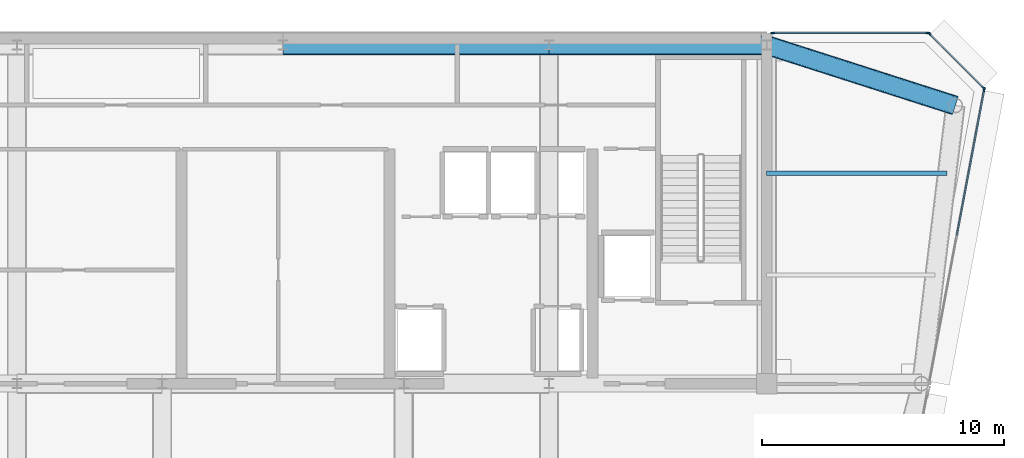
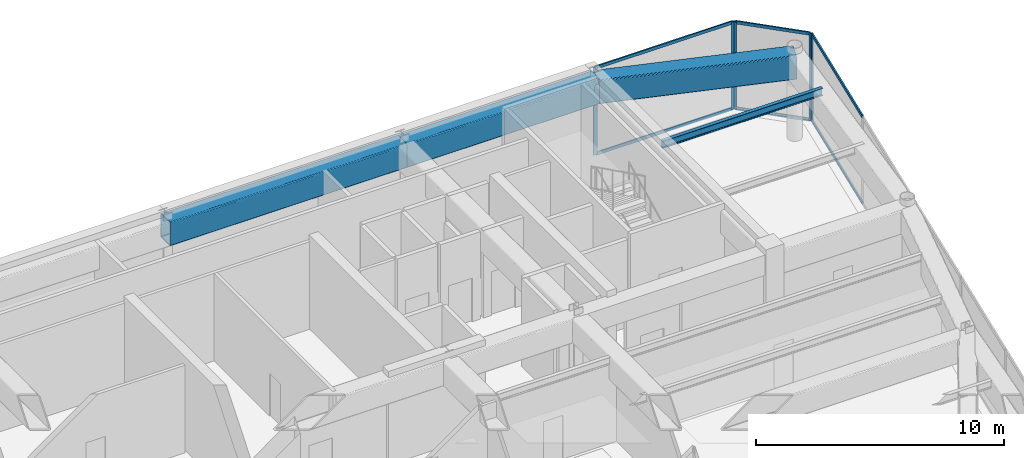
# One storey, part 9 of 20: 11 members, 4 beams, 3 elements without a shape of their own.
"""IFC4 building model written with IfcOpenShell, lengths in metres."""

from ifc_helpers import new_model, si_unit, direction, frame, origin, origin_2d, place, context, subcontext, project, spatial, rectangle, hollow_rectangle, i_section, extrude, source, transform, mapped, material, layer, layer_set, material_profile, profile_set, type_object, element, aggregate, save


model = new_model("IFC4")

# Units and contexts
model_context = context("Model", 3, precision=1e-05, world=origin(), true_north=direction((0.0, 1.0)))
body_context = subcontext(model_context, "Body", "Model", "MODEL_VIEW")
ifc_project = project(units=[si_unit("LENGTHUNIT", "METRE"), si_unit("AREAUNIT", "SQUARE_METRE"), si_unit("VOLUMEUNIT", "CUBIC_METRE"), si_unit("PLANEANGLEUNIT", "RADIAN"), si_unit("MASSUNIT", "GRAM", prefix="KILO")], contexts=[model_context])

# Site, building, storey
site_placement = place(None, origin())
site = spatial("IfcSite", under=ifc_project, at=site_placement, CompositionType="ELEMENT")
building_placement = place(site_placement, origin())
building = spatial("IfcBuilding", under=site, at=building_placement, Name="Vaeldorn Concourse Tower", CompositionType="ELEMENT")
storey_placement = place(building_placement, frame((0.0, 0.0, 299.199951171875)))
storey = spatial("IfcBuildingStorey", under=building, at=storey_placement, Name="L77", CompositionType="ELEMENT", Elevation=299.199951171875)

# Beams
ifc_material_1 = material(Name="Steel S460", Category="steel")
ifc_material_profile_1 = material_profile(ifc_material_1, hollow_rectangle(XDim=0.800048828125, YDim=1.199951171875, WallThickness=0.044921875, InnerFilletRadius=0.044921875, OuterFilletRadius=0.090087890625, at=origin_2d()), Name="RHS 1200x800x45")
ifc_profile_set_1 = profile_set([ifc_material_profile_1], Name="Steel S460")
beam_type_1 = type_object("IfcBeamType", Name="BM-TG-RHS1200", PredefinedType="BEAM", material=ifc_profile_set_1)
shared_shape_1 = source(origin(), body_context, "Body", "SweptSolid", [
    extrude(hollow_rectangle(XDim=0.800048828125, YDim=1.199951171875, WallThickness=0.044921875, InnerFilletRadius=0.044921875, OuterFilletRadius=0.090087890625, at=origin_2d()), origin(), (0.0, 0.0, 1.0), 9.0),
])
beam_1_placement = place(storey_placement, frame((45.0, 50.5, 3.699951171875), z_axis=(1.0, 0.0, 0.0), x_axis=(0.0, 1.0, 0.0)))
element("IfcBeam", 1, at=beam_1_placement, inside=storey, type_object=beam_type_1, Name="Beam BM-L77-C-HC4-C-HC5", PredefinedType="BEAM", context=body_context, shape_type="MappedRepresentation", body=[
    mapped(shared_shape_1, transform((0.0, 0.0, 0.0), scale=1.0)),
])
shared_shape_2 = source(origin(), body_context, "Body", "SweptSolid", [
    extrude(hollow_rectangle(XDim=0.800048828125, YDim=1.199951171875, WallThickness=0.044921875, InnerFilletRadius=0.044921875, OuterFilletRadius=0.090087890625, at=origin_2d()), origin(), (0.0, 0.0, 1.0), 11.0),
])
beam_2_placement = place(storey_placement, frame((34.0, 50.5, 3.699951171875), z_axis=(1.0, 0.0, 0.0), x_axis=(0.0, 1.0, 0.0)))
element("IfcBeam", 2, at=beam_2_placement, inside=storey, type_object=beam_type_1, Name="Beam BM-L77-C-HC3-C-HC4", PredefinedType="BEAM", context=body_context, shape_type="MappedRepresentation", body=[
    mapped(shared_shape_2, transform((0.0, 0.0, 0.0), scale=1.0)),
])
shared_shape_3 = source(origin(), body_context, "Body", "SweptSolid", [
    extrude(hollow_rectangle(XDim=0.800048828125, YDim=1.199951171875, WallThickness=0.044921875, InnerFilletRadius=0.044921875, OuterFilletRadius=0.090087890625, at=origin_2d()), origin(), (0.0, 0.0, 1.0), 8.19091796875),
])
beam_3_placement = place(storey_placement, frame((54.0, 50.5, 3.699951171875), z_axis=(0.952282843383, -0.305216949396, 0.0), x_axis=(0.305216949396, 0.952282843383, 0.0)))
element("IfcBeam", 3, at=beam_3_placement, inside=storey, type_object=beam_type_1, Name="Beam BM-L77-C-HC5-C-NE1", PredefinedType="BEAM", context=body_context, shape_type="MappedRepresentation", body=[
    mapped(shared_shape_3, transform((0.0, 0.0, 0.0), scale=1.0)),
])
ifc_material_2 = material(Name="Steel S355", Category="steel")
ifc_material_profile_2 = material_profile(ifc_material_2, i_section(OverallWidth=0.169921875, OverallDepth=0.360107421875, WebThickness=0.008056640625, FlangeThickness=0.0126953125, FilletRadius=0.01806640625, at=origin_2d()), Name="IPE 360")
ifc_profile_set_2 = profile_set([ifc_material_profile_2], Name="Steel S355")
beam_type_2 = type_object("IfcBeamType", Name="BM-JS-IPE360", PredefinedType="JOIST", material=ifc_profile_set_2)
shared_shape_4 = source(origin(), body_context, "Body", "SweptSolid", [
    extrude(i_section(OverallWidth=0.169921875, OverallDepth=0.360107421875, WebThickness=0.008056640625, FlangeThickness=0.0126953125, FilletRadius=0.01806640625, at=origin_2d()), origin(), (0.0, 0.0, 1.0), 7.458984375),
])
beam_4_placement = place(storey_placement, frame((54.0, 45.199951171875, 4.1201171875), z_axis=(1.0, 0.0, 0.0), x_axis=(0.0, 1.0, 0.0)))
element("IfcBeam", 4, at=beam_4_placement, inside=storey, type_object=beam_type_2, Name="Beam JS-L77-NE-452", PredefinedType="JOIST", context=body_context, shape_type="MappedRepresentation", body=[
    mapped(shared_shape_4, transform((0.0, 0.0, 0.0), scale=1.0)),
])

# Curtain wall, members
ifc_material_3 = material(Name="Anodised Bronze Aluminium", Category="aluminium")
ifc_layer = layer(ifc_material_3, 0.179931640625)
ifc_layer_set = layer_set([ifc_layer], Name="Anodised Bronze Aluminium")
curtain_wall_type = type_object("IfcCurtainWallType", Name="CW-SYS-05", PredefinedType="NOTDEFINED", material=ifc_layer_set)
curtain_wall_1_placement = place(storey_placement, origin())
curtain_wall_1 = element("IfcCurtainWall", 5, at=curtain_wall_1_placement, inside=storey, type_object=curtain_wall_type, Name="Unitised Curtain Wall CW-L77-E08-1", PredefinedType="NOTDEFINED")
ifc_material_profile_3 = material_profile(ifc_material_3, rectangle(XDim=0.06494140625, YDim=0.14990234375, at=origin_2d()), Name="CWT 65x150")
ifc_profile_set_3 = profile_set([ifc_material_profile_3], Name="Anodised Bronze Aluminium")
member_type_1 = type_object("IfcMemberType", Name="CWT-BRONZE-150", PredefinedType="USERDEFINED", material=ifc_profile_set_3)
shared_shape_5 = source(origin(), body_context, "Body", "SweptSolid", [
    extrude(rectangle(XDim=0.06494140625, YDim=0.14990234375, at=origin_2d()), origin(), (0.0, 0.0, 1.0), 3.123046875),
])
member_1_placement = place(storey_placement, frame((62.9541015625, 48.745849609375, 0.032470703125), z_axis=(-0.707106781187, 0.707106781187, 0.0), x_axis=(-0.707106781187, -0.707106781187, 0.0)))
member_1 = element("IfcMember", 6, at=member_1_placement, type_object=member_type_1, Name="CW-05 transom 1.1", ObjectType="TRANSOM", PredefinedType="USERDEFINED", context=body_context, shape_type="MappedRepresentation", body=[
    mapped(shared_shape_5, transform((0.0, 0.0, 0.0), scale=1.0)),
])
member_2_placement = place(storey_placement, frame((62.9541015625, 48.745849609375, 4.267578125), z_axis=(-0.707106781187, 0.707106781187, 0.0), x_axis=(-0.707106781187, -0.707106781187, 0.0)))
member_2 = element("IfcMember", 7, at=member_2_placement, type_object=member_type_1, Name="CW-05 transom 1.2", ObjectType="TRANSOM", PredefinedType="USERDEFINED", context=body_context, shape_type="MappedRepresentation", body=[
    mapped(shared_shape_5, transform((0.0, 0.0, 0.0), scale=1.0)),
])

curtain_wall_2_placement = place(storey_placement, origin())
curtain_wall_2 = element("IfcCurtainWall", 8, at=curtain_wall_2_placement, inside=storey, type_object=curtain_wall_type, Name="Unitised Curtain Wall CW-L77-E09-1", PredefinedType="NOTDEFINED")
shared_shape_6 = source(origin(), body_context, "Body", "SweptSolid", [
    extrude(rectangle(XDim=0.06494140625, YDim=0.14990234375, at=origin_2d()), origin(), (0.0, 0.0, 1.0), 6.35009765625),
])
member_3_placement = place(storey_placement, frame((60.635009765625, 51.0, 0.032470703125), z_axis=(-1.0, 0.0, 0.0), x_axis=(0.0, -1.0, 0.0)))
member_3 = element("IfcMember", 9, at=member_3_placement, type_object=member_type_1, Name="CW-05 transom 1.1", ObjectType="TRANSOM", PredefinedType="USERDEFINED", context=body_context, shape_type="MappedRepresentation", body=[
    mapped(shared_shape_6, transform((0.0, 0.0, 0.0), scale=1.0)),
])
member_4_placement = place(storey_placement, frame((60.635009765625, 51.0, 4.267578125), z_axis=(-1.0, 0.0, 0.0), x_axis=(0.0, -1.0, 0.0)))
member_4 = element("IfcMember", 10, at=member_4_placement, type_object=member_type_1, Name="CW-05 transom 1.2", ObjectType="TRANSOM", PredefinedType="USERDEFINED", context=body_context, shape_type="MappedRepresentation", body=[
    mapped(shared_shape_6, transform((0.0, 0.0, 0.0), scale=1.0)),
])

curtain_wall_3_placement = place(storey_placement, origin())
curtain_wall_3 = element("IfcCurtainWall", 11, at=curtain_wall_3_placement, inside=storey, type_object=curtain_wall_type, Name="Unitised Curtain Wall CW-L77-E07-2", PredefinedType="NOTDEFINED")
shared_shape_7 = source(origin(), body_context, "Body", "SweptSolid", [
    extrude(rectangle(XDim=0.06494140625, YDim=0.14990234375, at=origin_2d()), origin(), (0.0, 0.0, 1.0), 6.103515625),
])
member_5_placement = place(storey_placement, frame((61.863525390625, 42.63720703125, 0.032470703125), z_axis=(0.18424023288, 0.982881242363, 0.0), x_axis=(-0.982881242363, 0.18424023288, 0.0)))
member_5 = element("IfcMember", 12, at=member_5_placement, type_object=member_type_1, Name="CW-05 transom 2.1", ObjectType="TRANSOM", PredefinedType="USERDEFINED", context=body_context, shape_type="MappedRepresentation", body=[
    mapped(shared_shape_7, transform((0.0, 0.0, 0.0), scale=1.0)),
])
member_6_placement = place(storey_placement, frame((61.863525390625, 42.63720703125, 4.267578125), z_axis=(0.18424023288, 0.982881242363, 0.0), x_axis=(-0.982881242363, 0.18424023288, 0.0)))
member_6 = element("IfcMember", 13, at=member_6_placement, type_object=member_type_1, Name="CW-05 transom 2.2", ObjectType="TRANSOM", PredefinedType="USERDEFINED", context=body_context, shape_type="MappedRepresentation", body=[
    mapped(shared_shape_7, transform((0.0, 0.0, 0.0), scale=1.0)),
])
ifc_material_profile_4 = material_profile(ifc_material_3, rectangle(XDim=0.06494140625, YDim=0.169921875, at=origin_2d()), Name="CWM 65x170")
ifc_profile_set_4 = profile_set([ifc_material_profile_4], Name="Anodised Bronze Aluminium")
member_type_2 = type_object("IfcMemberType", Name="CWM-BRONZE-170", PredefinedType="MULLION", material=ifc_profile_set_4)
shared_shape_8 = source(origin(), body_context, "Body", "SweptSolid", [
    extrude(rectangle(XDim=0.06494140625, YDim=0.169921875, at=origin_2d()), origin(), (0.0, 0.0, 1.0), 4.300048828125),
])
member_7_placement = place(storey_placement, frame((62.993896484375, 48.66796875, 0.0), z_axis=(0.0, 0.0, 1.0), x_axis=(-0.982880218842, 0.184245693053, 0.0)))
member_7 = element("IfcMember", 14, at=member_7_placement, type_object=member_type_2, Name="CW-05 mullion 3", PredefinedType="MULLION", context=body_context, shape_type="MappedRepresentation", body=[
    mapped(shared_shape_8, transform((0.0, 0.0, 0.0), scale=1.0)),
])
aggregate(curtain_wall_3, [member_7, member_5, member_6])

# Member
member_8_placement = place(storey_placement, frame((62.97705078125, 48.722900390625, 0.0), z_axis=(0.0, 0.0, 1.0), x_axis=(-0.707106781187, -0.707106781187, 0.0)))
member_8 = element("IfcMember", 15, at=member_8_placement, type_object=member_type_2, Name="CW-05 mullion 1", PredefinedType="MULLION", context=body_context, shape_type="MappedRepresentation", body=[
    mapped(shared_shape_8, transform((0.0, 0.0, 0.0), scale=1.0)),
])

member_9_placement = place(storey_placement, frame((60.722900390625, 50.97705078125, 0.0), z_axis=(0.0, 0.0, 1.0), x_axis=(-0.707106781187, -0.707106781187, 0.0)))
member_9 = element("IfcMember", 16, at=member_9_placement, type_object=member_type_2, Name="CW-05 mullion 2", PredefinedType="MULLION", context=body_context, shape_type="MappedRepresentation", body=[
    mapped(shared_shape_8, transform((0.0, 0.0, 0.0), scale=1.0)),
])

aggregate(curtain_wall_1, [member_8, member_9, member_1, member_2])

member_10_placement = place(storey_placement, frame((60.66748046875, 51.0, 0.0), z_axis=(0.0, 0.0, 1.0), x_axis=(0.0, -1.0, 0.0)))
member_10 = element("IfcMember", 17, at=member_10_placement, type_object=member_type_2, Name="CW-05 mullion 1", PredefinedType="MULLION", context=body_context, shape_type="MappedRepresentation", body=[
    mapped(shared_shape_8, transform((0.0, 0.0, 0.0), scale=1.0)),
])

member_11_placement = place(storey_placement, frame((54.25244140625, 51.0, 0.0), z_axis=(0.0, 0.0, 1.0), x_axis=(0.0, -1.0, 0.0)))
member_11 = element("IfcMember", 18, at=member_11_placement, type_object=member_type_2, Name="CW-05 mullion 2", PredefinedType="MULLION", context=body_context, shape_type="MappedRepresentation", body=[
    mapped(shared_shape_8, transform((0.0, 0.0, 0.0), scale=1.0)),
])

aggregate(curtain_wall_2, [member_10, member_11, member_3, member_4])

save(model, "model.ifc")
